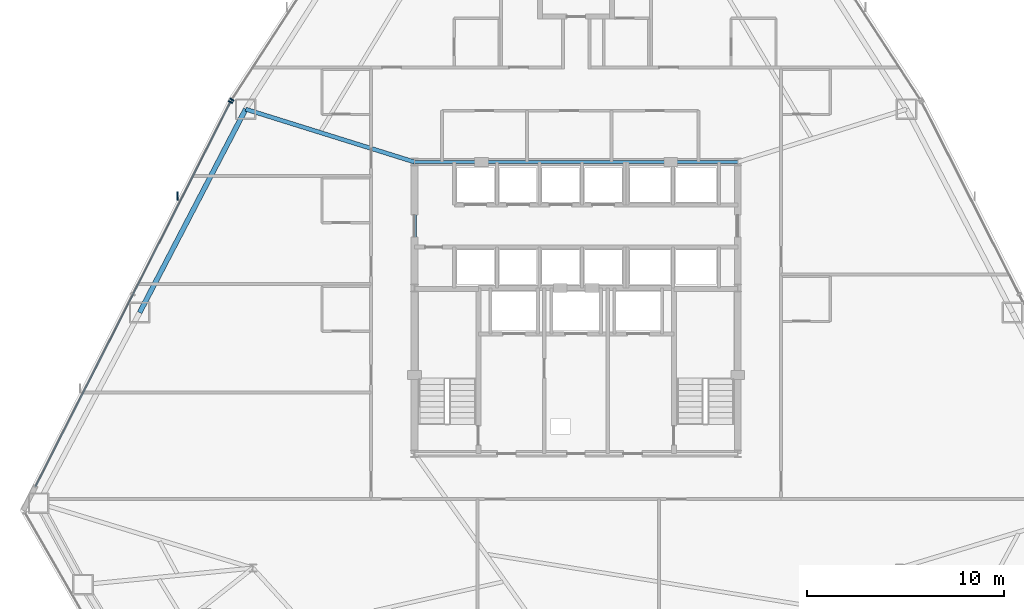
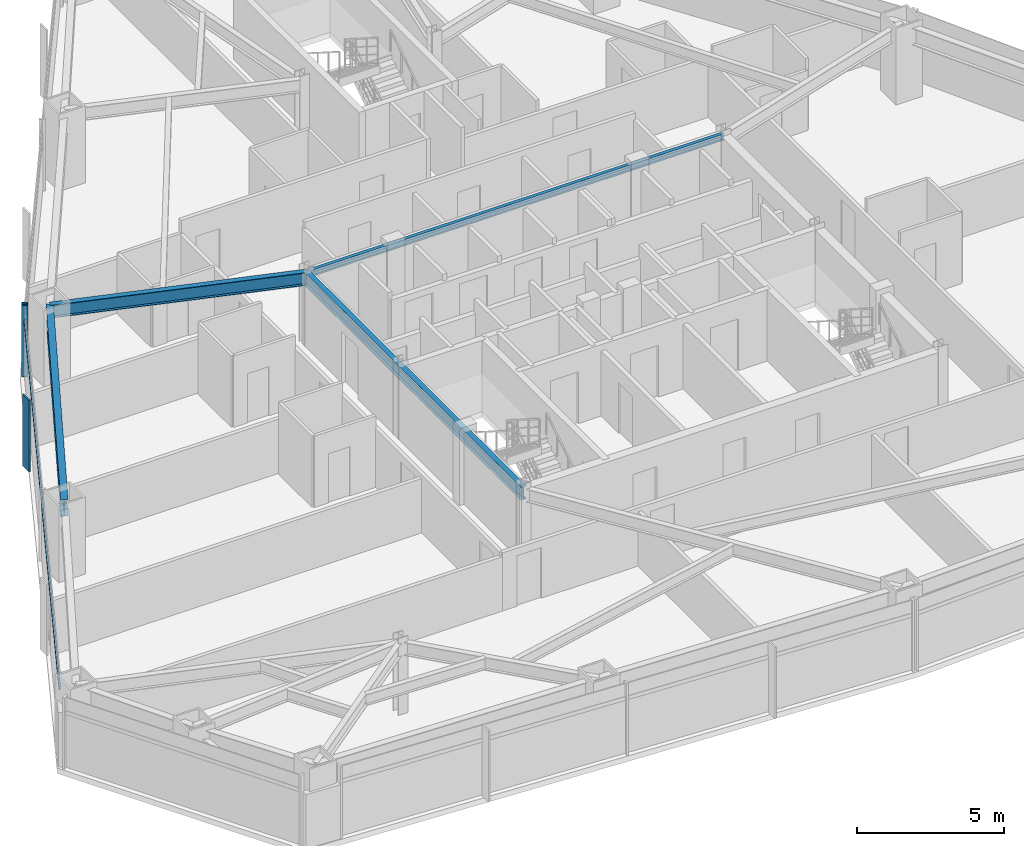
# One storey, part 5 of 12: 4 beams, 4 members, 2 elements without a shape of their own.
"""IFC4 building model written with IfcOpenShell, lengths in metres."""

from ifc_helpers import new_model, si_unit, direction, frame, origin, origin_2d, place, context, subcontext, project, spatial, rectangle, i_section, extrude, source, transform, mapped, material, layer, layer_set, material_profile, profile_set, type_object, type_shapes, element, aggregate, save


model = new_model("IFC4")

# Units and contexts
model_context = context("Model", 3, precision=1e-05, world=origin(), true_north=direction((0.0, 1.0)))
body_context = subcontext(model_context, "Body", "Model", "MODEL_VIEW")
ifc_project = project(units=[si_unit("LENGTHUNIT", "METRE"), si_unit("AREAUNIT", "SQUARE_METRE"), si_unit("VOLUMEUNIT", "CUBIC_METRE"), si_unit("PLANEANGLEUNIT", "RADIAN"), si_unit("MASSUNIT", "GRAM", prefix="KILO")], contexts=[model_context])

# Site, building, storey
site_placement = place(None, origin())
site = spatial("IfcSite", under=ifc_project, at=site_placement, CompositionType="ELEMENT")
building_placement = place(site_placement, origin())
building = spatial("IfcBuilding", under=site, at=building_placement, Name="Varakhsha Concourse Tower", CompositionType="ELEMENT")
storey_placement = place(building_placement, frame((0.0, 0.0, 73.39990234375)))
storey = spatial("IfcBuildingStorey", under=building, at=storey_placement, Name="L20", CompositionType="ELEMENT", Elevation=73.39990234375)

# Beams
ifc_material_1 = material(Name="Structural Steel ASTM A992 Grade 50", Category="steel")
ifc_material_profile_1 = material_profile(ifc_material_1, i_section(OverallWidth=0.14697265625, OverallDepth=0.261962890625, WebThickness=0.007080078125, FlangeThickness=0.010986328125, at=origin_2d()), Name="W10X26")
ifc_profile_set_1 = profile_set([ifc_material_profile_1], Name="Structural Steel ASTM A992 Grade 50")
beam_type_1 = type_object("IfcBeamType", Name="BM-LNTL-W10X26", PredefinedType="LINTEL", material=ifc_profile_set_1)
beam_1_placement = place(storey_placement, frame((31.800048828125, 31.199951171875, 2.839111328125), z_axis=(1.0, 0.0, 0.0), x_axis=(0.0, 1.0, 0.0)))
element("IfcBeam", 1, at=beam_1_placement, inside=storey, type_object=beam_type_1, Name="BM-TCORE-L20-CN", PredefinedType="LINTEL", context=body_context, shape_type="SweptSolid", body=[
    extrude(i_section(OverallWidth=0.14697265625, OverallDepth=0.261962890625, WebThickness=0.007080078125, FlangeThickness=0.010986328125, at=origin_2d()), origin(), (0.0, 0.0, 1.0), 16.39990234375),
])
ifc_material_profile_2 = material_profile(ifc_material_1, i_section(OverallWidth=0.2109375, OverallDepth=0.5390625, WebThickness=0.011962890625, FlangeThickness=0.01904296875, at=origin_2d()), Name="W21X73")
ifc_profile_set_2 = profile_set([ifc_material_profile_2], Name="Structural Steel ASTM A992 Grade 50")
beam_type_2 = type_object("IfcBeamType", Name="BM-RAD-W21X73", PredefinedType="BEAM", material=ifc_profile_set_2)
beam_2_placement = place(storey_placement, frame((31.800048828125, 16.39990234375, 2.70068359375), z_axis=(0.0, 1.0, 0.0), x_axis=(-1.0, 0.0, 0.0)))
element("IfcBeam", 2, at=beam_2_placement, inside=storey, type_object=beam_type_2, Name="BM-TCORE-L20-CW", PredefinedType="BEAM", context=body_context, shape_type="SweptSolid", body=[
    extrude(i_section(OverallWidth=0.2109375, OverallDepth=0.5390625, WebThickness=0.011962890625, FlangeThickness=0.01904296875, at=origin_2d()), origin(), (0.0, 0.0, 1.0), 14.800048828125),
])
beam_3_placement = place(storey_placement, frame((31.800048828125, 31.199951171875, 2.70068359375), z_axis=(-0.954407321853, 0.298507393532, 0.0), x_axis=(-0.298507393532, -0.954407321853, 0.0)))
element("IfcBeam", 3, at=beam_3_placement, inside=storey, type_object=beam_type_2, Name="L20 Radial Floor Girder 05", PredefinedType="BEAM", context=body_context, shape_type="SweptSolid", body=[
    extrude(i_section(OverallWidth=0.2109375, OverallDepth=0.5390625, WebThickness=0.011962890625, FlangeThickness=0.01904296875, at=origin_2d()), origin(), (0.0, 0.0, 1.0), 8.97216796875),
])
ifc_material_profile_3 = material_profile(ifc_material_1, i_section(OverallWidth=0.25390625, OverallDepth=0.701904296875, WebThickness=0.014892578125, FlangeThickness=0.028076171875, at=origin_2d()), Name="W27X129")
ifc_profile_set_3 = profile_set([ifc_material_profile_3], Name="Structural Steel ASTM A992 Grade 50")
beam_type_3 = type_object("IfcBeamType", Name="BM-SPAN-W27X129", PredefinedType="SPANDREL", material=ifc_profile_set_3)
beam_4_placement = place(storey_placement, frame((23.237060546875, 33.878173828125, 2.619140625), z_axis=(-0.46224393277, -0.886752810324, 0.0), x_axis=(0.886752810324, -0.46224393277, 0.0)))
element("IfcBeam", 4, at=beam_4_placement, inside=storey, type_object=beam_type_3, Name="BM-SPAN-L20-05", PredefinedType="SPANDREL", context=body_context, shape_type="SweptSolid", body=[
    extrude(i_section(OverallWidth=0.25390625, OverallDepth=0.701904296875, WebThickness=0.014892578125, FlangeThickness=0.028076171875, at=origin_2d()), origin(), (0.0, 0.0, 1.0), 11.6328125),
])

# Curtain wall, member
ifc_material_2 = material(Name="Anodised Bronze Architectural Aluminium AA 6063-T6", Category="aluminium")
ifc_layer = layer(ifc_material_2, 0.199951171875, Name="CW-SYS-03")
ifc_layer_set = layer_set([ifc_layer], Name="Anodised Bronze Architectural Aluminium AA 6063-T6")
curtain_wall_type = type_object("IfcCurtainWallType", Name="CW-SYS-03", PredefinedType="NOTDEFINED", material=ifc_layer_set)
curtain_wall_1_placement = place(storey_placement, origin())
curtain_wall_1 = element("IfcCurtainWall", 5, at=curtain_wall_1_placement, inside=storey, type_object=curtain_wall_type, Name="L20 Crystal Curtain Wall F2", PredefinedType="NOTDEFINED")
ifc_material_profile_4 = material_profile(ifc_material_2, rectangle(XDim=0.074951171875, YDim=0.219970703125, at=origin_2d()), Name="CWM-220X75")
ifc_profile_set_4 = profile_set([ifc_material_profile_4], Name="Anodised Bronze Architectural Aluminium AA 6063-T6")
member_type_1 = type_object("IfcMemberType", Name="CWM-220X75", PredefinedType="MULLION", material=ifc_profile_set_4)
shared_shape_1 = source(origin(), body_context, "Body", "SweptSolid", [
    extrude(rectangle(XDim=0.074951171875, YDim=0.219970703125, at=origin_2d()), origin(), (0.0, 0.0, 1.0), 2.97021484375),
])
type_shapes(member_type_1, [shared_shape_1])
member_1_placement = place(storey_placement, frame((22.538330078125, 34.36376953125, 0.0), z_axis=(0.0, 0.0, 1.0), x_axis=(0.546249624122, 0.837622437705, 0.0)))
member_1 = element("IfcMember", 6, at=member_1_placement, type_object=member_type_1, Name="CW-L20-F2 Mullion 00", PredefinedType="MULLION", context=body_context, shape_type="MappedRepresentation", body=[
    mapped(shared_shape_1, transform((0.0, 0.0, 0.0), scale=1.0)),
])
aggregate(curtain_wall_1, [member_1])

# Curtain wall, members
curtain_wall_2_placement = place(storey_placement, origin())
curtain_wall_2 = element("IfcCurtainWall", 7, at=curtain_wall_2_placement, inside=storey, type_object=curtain_wall_type, Name="L20 Crystal Curtain Wall F3", PredefinedType="NOTDEFINED")
member_2_placement = place(storey_placement, frame((22.467041015625, 34.240478515625, 0.0), z_axis=(0.0, 0.0, 1.0), x_axis=(0.45227438453, 0.891878848891, 0.0)))
member_2 = element("IfcMember", 8, at=member_2_placement, type_object=member_type_1, Name="CW-L20-F3 Mullion 02", PredefinedType="MULLION", context=body_context, shape_type="MappedRepresentation", body=[
    mapped(shared_shape_1, transform((0.0, 0.0, 0.0), scale=1.0)),
])
ifc_material_profile_5 = material_profile(ifc_material_2, rectangle(XDim=0.06494140625, YDim=0.449951171875, at=origin_2d()), Name="FIN-BRZ-450")
ifc_profile_set_5 = profile_set([ifc_material_profile_5], Name="Anodised Bronze Architectural Aluminium AA 6063-T6")
member_type_2 = type_object("IfcMemberType", Name="FIN-BRZ-450", PredefinedType="USERDEFINED", material=ifc_profile_set_5)
shared_shape_2 = source(origin(), body_context, "Body", "SweptSolid", [
    extrude(rectangle(XDim=0.06494140625, YDim=0.449951171875, at=origin_2d()), origin(), (0.0, 0.0, 1.0), 2.97021484375),
])
type_shapes(member_type_2, [shared_shape_2])
member_3_placement = place(storey_placement, frame((19.77978515625, 29.4716796875, 0.0), z_axis=(0.0, 0.0, 1.0), x_axis=(1.0, 0.0, 0.0)))
member_3 = element("IfcMember", 9, at=member_3_placement, type_object=member_type_2, Name="L20 Anodised Bronze Solar Fin F3-2", ObjectType="SOLAR FIN", PredefinedType="USERDEFINED", context=body_context, shape_type="MappedRepresentation", body=[
    mapped(shared_shape_2, transform((0.0, 0.0, 0.0), scale=1.0)),
])
ifc_material_profile_6 = material_profile(ifc_material_2, rectangle(XDim=0.06494140625, YDim=0.159912109375, at=origin_2d()), Name="CWT-160X65")
ifc_profile_set_6 = profile_set([ifc_material_profile_6], Name="Anodised Bronze Architectural Aluminium AA 6063-T6")
member_type_3 = type_object("IfcMemberType", Name="CWT-160X65", PredefinedType="USERDEFINED", material=ifc_profile_set_6)
shared_shape_3 = source(origin(), body_context, "Body", "SweptSolid", [
    extrude(rectangle(XDim=0.06494140625, YDim=0.159912109375, at=origin_2d()), origin(), (0.0, 0.0, 1.0), 21.873779296875),
])
type_shapes(member_type_3, [shared_shape_3])
member_4_placement = place(storey_placement, frame((12.57421875, 14.731689453125, 2.320068359375), z_axis=(0.452269221252, 0.891881467185, 0.0), x_axis=(-0.891881467185, 0.452269221252, 0.0)))
member_4 = element("IfcMember", 10, at=member_4_placement, type_object=member_type_3, Name="CW-L20-F3 Transom 01", ObjectType="TRANSOM", PredefinedType="USERDEFINED", context=body_context, shape_type="MappedRepresentation", body=[
    mapped(shared_shape_3, transform((0.0, 0.0, 0.0), scale=1.0)),
])
aggregate(curtain_wall_2, [member_2, member_4, member_3])

save(model, "model.ifc")
